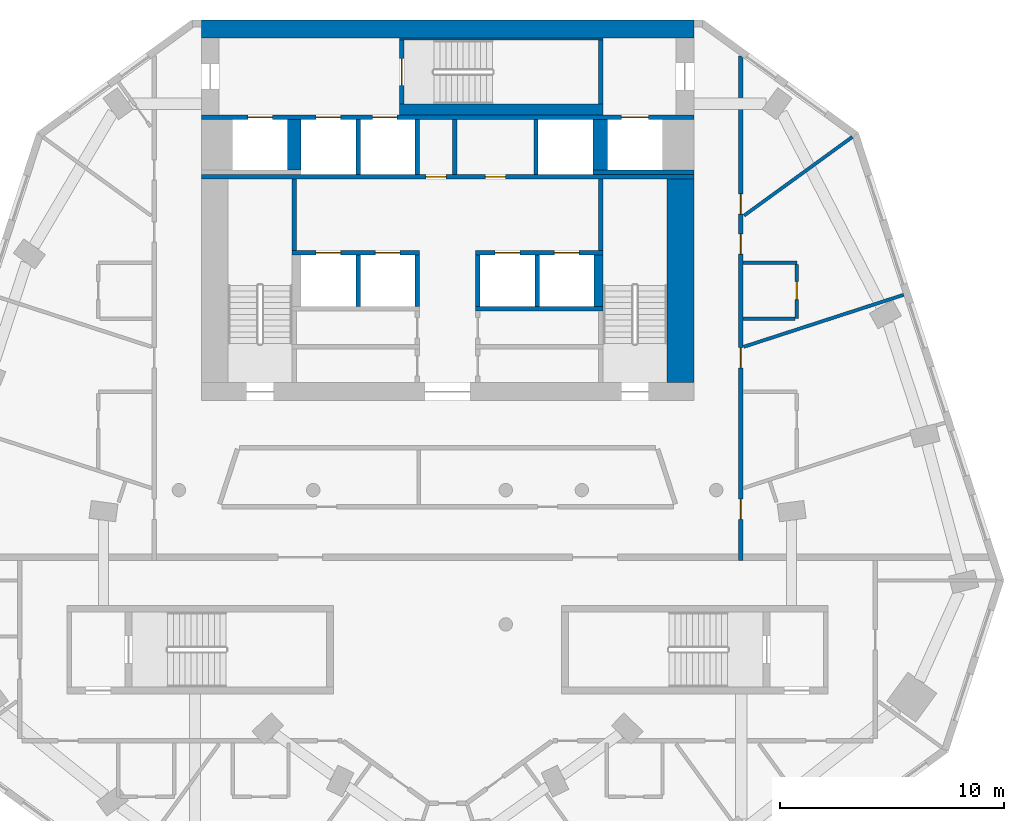
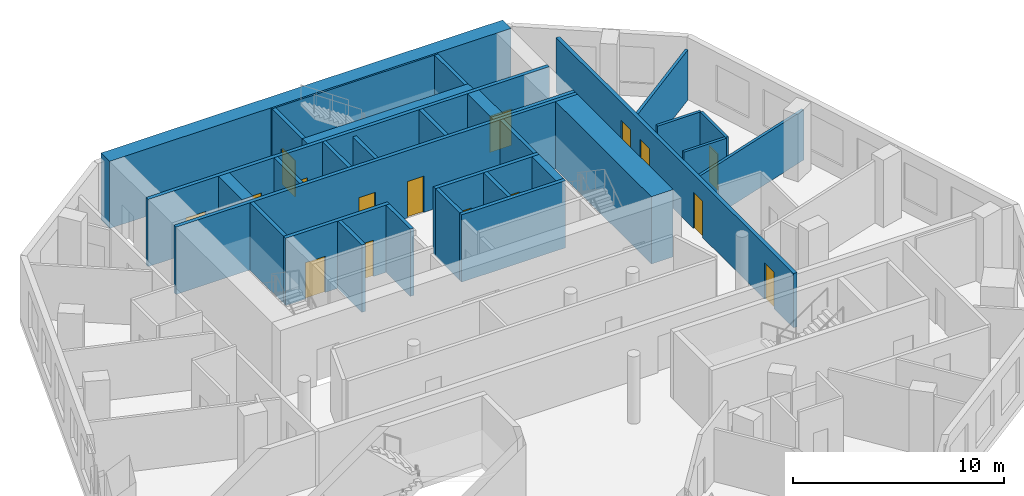
# One storey, part 6 of 9: 31 walls, 16 doors, 16 openings.
"""IFC4 building model written with IfcOpenShell, lengths in metres."""

from ifc_helpers import new_model, si_unit, direction, frame, frame_2d, origin, place, context, subcontext, project, spatial, rectangle, extrude, material, layer, layer_set, type_object, element, fill, save


model = new_model("IFC4")

# Units and contexts
model_context = context("Model", 3, precision=1e-05, world=origin(), true_north=direction((0.0, 1.0)))
body_context = subcontext(model_context, "Body", "Model", "MODEL_VIEW")
ifc_project = project(units=[si_unit("LENGTHUNIT", "METRE"), si_unit("AREAUNIT", "SQUARE_METRE"), si_unit("VOLUMEUNIT", "CUBIC_METRE"), si_unit("PLANEANGLEUNIT", "RADIAN"), si_unit("MASSUNIT", "GRAM", prefix="KILO")], contexts=[model_context])

# Site, building, storey
site_placement = place(None, origin())
site = spatial("IfcSite", under=ifc_project, at=site_placement, CompositionType="ELEMENT")
building_placement = place(site_placement, origin())
building = spatial("IfcBuilding", under=site, at=building_placement, Name="White Candle Pilgrim Tower", CompositionType="ELEMENT")
storey_placement = place(building_placement, frame((0.0, 0.0, 212.10009765625)))
storey = spatial("IfcBuildingStorey", under=building, at=storey_placement, Name="L49", CompositionType="ELEMENT", Elevation=212.10009765625)

# Wall
ifc_material_1 = material(Name="Concrete C50/60", Category="concrete")
ifc_layer_1 = layer(ifc_material_1, 0.199951171875)
ifc_layer_set_1 = layer_set([ifc_layer_1], Name="Core wall 200 mm Concrete C50/60")
wall_type_1 = type_object("IfcWallType", Name="Core wall 200 mm Concrete C50/60", PredefinedType="SHEAR", material=ifc_layer_set_1)
wall_1_placement = place(storey_placement, frame((76.5, 81.199951171875, 0.0), z_axis=(0.0, 0.0, 1.0), x_axis=(1.0, 0.0, 0.0)))
element("IfcWall", 1, at=wall_1_placement, inside=storey, type_object=wall_type_1, Name="WL-L49-C42", PredefinedType="SHEAR", context=body_context, shape_type="SweptSolid", body=[
    extrude(rectangle(XDim=4.5, YDim=0.199951171875, at=frame_2d((2.25, 0.0))), origin(), (0.0, 0.0, 1.0), 3.89990234375),
])

# Wall, openings, doors
wall_2_placement = place(storey_placement, frame((59.0, 83.64990234375, 0.0), z_axis=(0.0, 0.0, 1.0), x_axis=(1.0, 0.0, 0.0)))
wall_2 = element("IfcWall", 2, at=wall_2_placement, inside=storey, type_object=wall_type_1, Name="WL-L49-C47", PredefinedType="SHEAR", context=body_context, shape_type="SweptSolid", body=[
    extrude(rectangle(XDim=22.0, YDim=0.199951171875, at=frame_2d((11.0, 0.0))), origin(), (0.0, 0.0, 1.0), 3.89990234375),
])
opening_1_placement = place(wall_2_placement, frame((5.125, 0.0, 0.0)))
opening_1 = element("IfcOpeningElement", 3, at=opening_1_placement, cuts=wall_2, Name="Opening T15-019", PredefinedType="OPENING", context=body_context, shape_type="SweptSolid", body=[
    extrude(rectangle(XDim=1.10009765625, YDim=2.10009765625, at=frame_2d((0.550048828125, 1.050048828125))), frame((0.0, 0.10986328125, 0.0), z_axis=(0.0, -1.0, 0.0), x_axis=(1.0, 0.0, 0.0)), (0.0, 0.0, 1.0), 0.219970703125),
])
opening_2_placement = place(wall_2_placement, frame((7.64990234375, 0.0, 0.0)))
opening_2 = element("IfcOpeningElement", 4, at=opening_2_placement, cuts=wall_2, Name="Opening T15-020", PredefinedType="OPENING", context=body_context, shape_type="SweptSolid", body=[
    extrude(rectangle(XDim=1.10009765625, YDim=2.10009765625, at=frame_2d((0.550048828125, 1.050048828125))), frame((0.0, 0.10986328125, 0.0), z_axis=(0.0, -1.0, 0.0), x_axis=(1.0, 0.0, 0.0)), (0.0, 0.0, 1.0), 0.219970703125),
])
opening_3_placement = place(wall_2_placement, frame((18.77490234375, 0.0, 0.0)))
opening_3 = element("IfcOpeningElement", 5, at=opening_3_placement, cuts=wall_2, Name="Opening T15-021", PredefinedType="OPENING", context=body_context, shape_type="SweptSolid", body=[
    extrude(rectangle(XDim=1.199951171875, YDim=2.10009765625, at=frame_2d((0.60009765625, 1.050048828125))), frame((0.0, 0.10986328125, 0.0), z_axis=(0.0, -1.0, 0.0), x_axis=(1.0, 0.0, 0.0)), (0.0, 0.0, 1.0), 0.219970703125),
])
opening_4_placement = place(wall_2_placement, frame((2.074951171875, 0.0, 0.0)))
opening_4 = element("IfcOpeningElement", 6, at=opening_4_placement, cuts=wall_2, Name="Opening T15-022", PredefinedType="OPENING", context=body_context, shape_type="SweptSolid", body=[
    extrude(rectangle(XDim=1.10009765625, YDim=2.10009765625, at=frame_2d((0.550048828125, 1.050048828125))), frame((0.0, 0.10986328125, 0.0), z_axis=(0.0, -1.0, 0.0), x_axis=(1.0, 0.0, 0.0)), (0.0, 0.0, 1.0), 0.219970703125),
])
ifc_material_2 = material(Name="Stainless steel", Category="steel")
door_type_1 = type_object("IfcDoorType", Name="Lift landing door 1100 x 2100 EI 60", OperationType="DOUBLE_DOOR_SLIDING", PredefinedType="DOOR", material=ifc_material_2)
door_1_placement = place(opening_1_placement, origin())
door_1 = element("IfcDoor", 7, at=door_1_placement, inside=storey, type_object=door_type_1, Name="Door T15-019", OperationType="DOUBLE_DOOR_SLIDING", OverallHeight=2.10009765625, OverallWidth=1.10009765625, PredefinedType="DOOR", context=body_context, shape_type="SweptSolid", body=[
    extrude(rectangle(XDim=1.10009765625, YDim=2.10009765625, at=frame_2d((0.550048828125, 1.050048828125))), frame((0.0, 0.02490234375, 0.0), z_axis=(0.0, -1.0, 0.0), x_axis=(1.0, 0.0, 0.0)), (0.0, 0.0, 1.0), 0.050048828125),
])
fill(opening_1, door_1)
door_2_placement = place(opening_2_placement, origin())
door_2 = element("IfcDoor", 8, at=door_2_placement, inside=storey, type_object=door_type_1, Name="Door T15-020", OperationType="DOUBLE_DOOR_SLIDING", OverallHeight=2.10009765625, OverallWidth=1.10009765625, PredefinedType="DOOR", context=body_context, shape_type="SweptSolid", body=[
    extrude(rectangle(XDim=1.10009765625, YDim=2.10009765625, at=frame_2d((0.550048828125, 1.050048828125))), frame((0.0, 0.02490234375, 0.0), z_axis=(0.0, -1.0, 0.0), x_axis=(1.0, 0.0, 0.0)), (0.0, 0.0, 1.0), 0.050048828125),
])
fill(opening_2, door_2)
door_3_placement = place(opening_4_placement, origin())
door_3 = element("IfcDoor", 9, at=door_3_placement, inside=storey, type_object=door_type_1, Name="Door T15-022", OperationType="DOUBLE_DOOR_SLIDING", OverallHeight=2.10009765625, OverallWidth=1.10009765625, PredefinedType="DOOR", context=body_context, shape_type="SweptSolid", body=[
    extrude(rectangle(XDim=1.10009765625, YDim=2.10009765625, at=frame_2d((0.550048828125, 1.050048828125))), frame((0.0, 0.02490234375, 0.0), z_axis=(0.0, -1.0, 0.0), x_axis=(1.0, 0.0, 0.0)), (0.0, 0.0, 1.0), 0.050048828125),
])
fill(opening_4, door_3)
door_type_2 = type_object("IfcDoorType", Name="Lift landing door 1200 x 2100 E 60", OperationType="DOUBLE_DOOR_SLIDING", PredefinedType="DOOR", material=ifc_material_2)
door_4_placement = place(opening_3_placement, origin())
door_4 = element("IfcDoor", 10, at=door_4_placement, inside=storey, type_object=door_type_2, Name="Door T15-021", OperationType="DOUBLE_DOOR_SLIDING", OverallHeight=2.10009765625, OverallWidth=1.199951171875, PredefinedType="DOOR", context=body_context, shape_type="SweptSolid", body=[
    extrude(rectangle(XDim=1.199951171875, YDim=2.10009765625, at=frame_2d((0.60009765625, 1.050048828125))), frame((0.0, 0.02490234375, 0.0), z_axis=(0.0, -1.0, 0.0), x_axis=(1.0, 0.0, 0.0)), (0.0, 0.0, 1.0), 0.050048828125),
])
fill(opening_3, door_4)

# Wall
ifc_layer_2 = layer(ifc_material_1, 0.800048828125)
ifc_layer_set_2 = layer_set([ifc_layer_2], Name="Core wall 800 mm Concrete C50/60")
wall_type_2 = type_object("IfcWallType", Name="Core wall 800 mm Concrete C50/60", PredefinedType="SHEAR", material=ifc_layer_set_2)
wall_3_placement = place(storey_placement, frame((59.0, 87.60009765625, 0.0), z_axis=(0.0, 0.0, 1.0), x_axis=(1.0, 0.0, 0.0)))
element("IfcWall", 11, at=wall_3_placement, inside=storey, type_object=wall_type_2, Name="WL-L49-C54", PredefinedType="SHEAR", context=body_context, shape_type="SweptSolid", body=[
    extrude(rectangle(XDim=22.0, YDim=0.800048828125, at=frame_2d((11.0, 0.0))), origin(), (0.0, 0.0, 1.0), 3.89990234375),
])

# Wall, openings, doors
ifc_material_3 = material(Name="Gypsum board on steel studs", Category="steel")
ifc_layer_3 = layer(ifc_material_3, 0.199951171875)
ifc_layer_set_3 = layer_set([ifc_layer_3], Name="Corridor wall 200 mm EI 45")
wall_type_3 = type_object("IfcWallType", Name="Corridor wall 200 mm EI 45", PredefinedType="PARTITIONING", material=ifc_layer_set_3)
wall_4_placement = place(storey_placement, frame((83.10009765625, 86.396240234375, 0.0), z_axis=(0.0, 0.0, 1.0), x_axis=(0.0, -1.0, 0.0)))
wall_4 = element("IfcWall", 12, at=wall_4_placement, inside=storey, type_object=wall_type_3, Name="WL-L49-P003", PredefinedType="PARTITIONING", context=body_context, shape_type="SweptSolid", body=[
    extrude(rectangle(XDim=22.546142578125, YDim=0.199951171875, at=frame_2d((11.27294921875, 0.0))), origin(), (0.0, 0.0, 1.0), 3.14990234375),
])
opening_5_placement = place(wall_4_placement, frame((6.163818359375, 0.0, 0.0)))
opening_5 = element("IfcOpeningElement", 13, at=opening_5_placement, cuts=wall_4, Name="Opening T15-128", PredefinedType="OPENING", context=body_context, shape_type="SweptSolid", body=[
    extrude(rectangle(XDim=0.89990234375, YDim=2.10009765625, at=frame_2d((0.449951171875, 1.050048828125))), frame((0.0, 0.10986328125, 0.0), z_axis=(0.0, -1.0, 0.0), x_axis=(1.0, 0.0, 0.0)), (0.0, 0.0, 1.0), 0.219970703125),
])
opening_6_placement = place(wall_4_placement, frame((7.95947265625, 0.0, 0.0)))
opening_6 = element("IfcOpeningElement", 14, at=opening_6_placement, cuts=wall_4, Name="Opening T15-129", PredefinedType="OPENING", context=body_context, shape_type="SweptSolid", body=[
    extrude(rectangle(XDim=0.89990234375, YDim=2.10009765625, at=frame_2d((0.449951171875, 1.050048828125))), frame((0.0, 0.10986328125, 0.0), z_axis=(0.0, -1.0, 0.0), x_axis=(1.0, 0.0, 0.0)), (0.0, 0.0, 1.0), 0.219970703125),
])
opening_7_placement = place(wall_4_placement, frame((13.034423828125, 0.0, 0.0)))
opening_7 = element("IfcOpeningElement", 15, at=opening_7_placement, cuts=wall_4, Name="Opening T15-130", PredefinedType="OPENING", context=body_context, shape_type="SweptSolid", body=[
    extrude(rectangle(XDim=0.89990234375, YDim=2.10009765625, at=frame_2d((0.449951171875, 1.050048828125))), frame((0.0, 0.10986328125, 0.0), z_axis=(0.0, -1.0, 0.0), x_axis=(1.0, 0.0, 0.0)), (0.0, 0.0, 1.0), 0.219970703125),
])
opening_8_placement = place(wall_4_placement, frame((19.80126953125, 0.0, 0.0)))
opening_8 = element("IfcOpeningElement", 16, at=opening_8_placement, cuts=wall_4, Name="Opening T15-131", PredefinedType="OPENING", context=body_context, shape_type="SweptSolid", body=[
    extrude(rectangle(XDim=0.89990234375, YDim=2.10009765625, at=frame_2d((0.449951171875, 1.050048828125))), frame((0.0, 0.10986328125, 0.0), z_axis=(0.0, -1.0, 0.0), x_axis=(1.0, 0.0, 0.0)), (0.0, 0.0, 1.0), 0.219970703125),
])
ifc_material_4 = material(Name="Steel door leaf", Category="steel")
door_type_3 = type_object("IfcDoorType", Name="Fire door 900 x 2100 EI 30", OperationType="NOTDEFINED", PredefinedType="DOOR", material=ifc_material_4)
door_5_placement = place(opening_5_placement, origin())
door_5 = element("IfcDoor", 17, at=door_5_placement, inside=storey, type_object=door_type_3, Name="Door T15-128", OperationType="SINGLE_SWING_RIGHT", OverallHeight=2.10009765625, OverallWidth=0.89990234375, PredefinedType="DOOR", context=body_context, shape_type="SweptSolid", body=[
    extrude(rectangle(XDim=0.89990234375, YDim=2.10009765625, at=frame_2d((0.449951171875, 1.050048828125))), frame((0.0, 0.02490234375, 0.0), z_axis=(0.0, -1.0, 0.0), x_axis=(1.0, 0.0, 0.0)), (0.0, 0.0, 1.0), 0.050048828125),
])
fill(opening_5, door_5)
door_6_placement = place(opening_6_placement, origin())
door_6 = element("IfcDoor", 18, at=door_6_placement, inside=storey, type_object=door_type_3, Name="Door T15-129", OperationType="SINGLE_SWING_LEFT", OverallHeight=2.10009765625, OverallWidth=0.89990234375, PredefinedType="DOOR", context=body_context, shape_type="SweptSolid", body=[
    extrude(rectangle(XDim=0.89990234375, YDim=2.10009765625, at=frame_2d((0.449951171875, 1.050048828125))), frame((0.0, 0.02490234375, 0.0), z_axis=(0.0, -1.0, 0.0), x_axis=(1.0, 0.0, 0.0)), (0.0, 0.0, 1.0), 0.050048828125),
])
fill(opening_6, door_6)
door_7_placement = place(opening_7_placement, origin())
door_7 = element("IfcDoor", 19, at=door_7_placement, inside=storey, type_object=door_type_3, Name="Door T15-130", OperationType="SINGLE_SWING_RIGHT", OverallHeight=2.10009765625, OverallWidth=0.89990234375, PredefinedType="DOOR", context=body_context, shape_type="SweptSolid", body=[
    extrude(rectangle(XDim=0.89990234375, YDim=2.10009765625, at=frame_2d((0.449951171875, 1.050048828125))), frame((0.0, 0.02490234375, 0.0), z_axis=(0.0, -1.0, 0.0), x_axis=(1.0, 0.0, 0.0)), (0.0, 0.0, 1.0), 0.050048828125),
])
fill(opening_7, door_7)
door_8_placement = place(opening_8_placement, origin())
door_8 = element("IfcDoor", 20, at=door_8_placement, inside=storey, type_object=door_type_3, Name="Door T15-131", OperationType="SINGLE_SWING_LEFT", OverallHeight=2.10009765625, OverallWidth=0.89990234375, PredefinedType="DOOR", context=body_context, shape_type="SweptSolid", body=[
    extrude(rectangle(XDim=0.89990234375, YDim=2.10009765625, at=frame_2d((0.449951171875, 1.050048828125))), frame((0.0, 0.02490234375, 0.0), z_axis=(0.0, -1.0, 0.0), x_axis=(1.0, 0.0, 0.0)), (0.0, 0.0, 1.0), 0.050048828125),
])
fill(opening_8, door_8)

# Walls
ifc_layer_4 = layer(ifc_material_3, 0.199951171875)
ifc_layer_set_4 = layer_set([ifc_layer_4], Name="Lobby wall 200 mm EI 60")
wall_type_4 = type_object("IfcWallType", Name="Lobby wall 200 mm EI 60", PredefinedType="PARTITIONING", material=ifc_layer_set_4)
wall_5_placement = place(storey_placement, frame((70.320068359375, 81.10009765625, 0.0), z_axis=(0.0, 0.0, 1.0), x_axis=(0.0, 1.0, 0.0)))
element("IfcWall", 21, at=wall_5_placement, inside=storey, type_object=wall_type_4, Name="WL-L49-C40", PredefinedType="PARTITIONING", context=body_context, shape_type="SweptSolid", body=[
    extrude(rectangle(XDim=2.449951171875, YDim=0.199951171875, at=frame_2d((1.22509765625, 0.0))), origin(), (0.0, 0.0, 1.0), 3.599853515625),
])
ifc_layer_5 = layer(ifc_material_3, 0.14990234375)
ifc_layer_set_5 = layer_set([ifc_layer_5], Name="Partition 150 mm EI 60")
wall_type_5 = type_object("IfcWallType", Name="Partition 150 mm EI 60", PredefinedType="PARTITIONING", material=ifc_layer_set_5)
wall_6_placement = place(storey_placement, frame((88.08154296875, 82.77685546875, 0.0), z_axis=(0.0, 0.0, 1.0), x_axis=(-0.809011434577, -0.587792904622, 0.0)))
element("IfcWall", 22, at=wall_6_placement, inside=storey, type_object=wall_type_5, Name="WL-L49-P022", PredefinedType="PARTITIONING", context=body_context, shape_type="SweptSolid", body=[
    extrude(rectangle(XDim=5.9794921875, YDim=0.14990234375, at=frame_2d((2.98974609375, 0.0))), origin(), (0.0, 0.0, 1.0), 2.89990234375),
])
wall_7_placement = place(storey_placement, frame((90.37353515625, 75.723388671875, 0.0), z_axis=(0.0, 0.0, 1.0), x_axis=(-0.951049340024, -0.309039079794, 0.0)))
element("IfcWall", 23, at=wall_7_placement, inside=storey, type_object=wall_type_5, Name="WL-L49-P048", PredefinedType="PARTITIONING", context=body_context, shape_type="SweptSolid", body=[
    extrude(rectangle(XDim=7.518310546875, YDim=0.14990234375, at=frame_2d((3.75927734375, 0.0))), origin(), (0.0, 0.0, 1.0), 2.89990234375),
])
wall_8_placement = place(storey_placement, frame((83.199951171875, 77.159912109375, 0.0), z_axis=(0.0, 0.0, 1.0), x_axis=(1.0, 0.0, 0.0)))
element("IfcWall", 24, at=wall_8_placement, inside=storey, type_object=wall_type_5, Name="WL-L49-P051", PredefinedType="PARTITIONING", context=body_context, shape_type="SweptSolid", body=[
    extrude(rectangle(XDim=2.400146484375, YDim=0.14990234375, at=frame_2d((1.2001953125, 0.0))), origin(), (0.0, 0.0, 1.0), 3.599853515625),
])

# Wall, opening, door
wall_9_placement = place(storey_placement, frame((85.60009765625, 74.659912109375, 0.0), z_axis=(0.0, 0.0, 1.0), x_axis=(0.0, 1.0, 0.0)))
wall_9 = element("IfcWall", 25, at=wall_9_placement, inside=storey, type_object=wall_type_5, Name="WL-L49-P052", PredefinedType="PARTITIONING", context=body_context, shape_type="SweptSolid", body=[
    extrude(rectangle(XDim=2.425048828125, YDim=0.14990234375, at=frame_2d((1.21240234375, 0.0))), origin(), (0.0, 0.0, 1.0), 3.599853515625),
])
opening_9_placement = place(wall_9_placement, frame((0.85009765625, 0.0, 0.0)))
opening_9 = element("IfcOpeningElement", 26, at=opening_9_placement, cuts=wall_9, Name="Opening T15-118", PredefinedType="OPENING", context=body_context, shape_type="SweptSolid", body=[
    extrude(rectangle(XDim=0.800048828125, YDim=2.10009765625, at=frame_2d((0.39990234375, 1.050048828125))), frame((0.0, 0.0849609375, 0.0), z_axis=(0.0, -1.0, 0.0), x_axis=(1.0, 0.0, 0.0)), (0.0, 0.0, 1.0), 0.169921875),
])
door_type_4 = type_object("IfcDoorType", Name="Fire door 800 x 2100 EI 30", OperationType="NOTDEFINED", PredefinedType="DOOR", material=ifc_material_4)
door_9_placement = place(opening_9_placement, frame((0.800048828125, 0.0, 0.0), z_axis=(0.0, 0.0, 1.0), x_axis=(-1.0, 0.0, 0.0)))
door_9 = element("IfcDoor", 27, at=door_9_placement, inside=storey, type_object=door_type_4, Name="Door T15-118", OperationType="SINGLE_SWING_LEFT", OverallHeight=2.10009765625, OverallWidth=0.800048828125, PredefinedType="DOOR", context=body_context, shape_type="SweptSolid", body=[
    extrude(rectangle(XDim=0.800048828125, YDim=2.10009765625, at=frame_2d((0.39990234375, 1.050048828125))), frame((0.0, 0.02490234375, 0.0), z_axis=(0.0, -1.0, 0.0), x_axis=(1.0, 0.0, 0.0)), (0.0, 0.0, 1.0), 0.050048828125),
])
fill(opening_9, door_9)

# Walls
wall_10_placement = place(storey_placement, frame((83.199951171875, 74.659912109375, 0.0), z_axis=(0.0, 0.0, 1.0), x_axis=(1.0, 0.0, 0.0)))
element("IfcWall", 28, at=wall_10_placement, inside=storey, type_object=wall_type_5, Name="WL-L49-P053", PredefinedType="PARTITIONING", context=body_context, shape_type="SweptSolid", body=[
    extrude(rectangle(XDim=2.324951171875, YDim=0.14990234375, at=frame_2d((1.16259765625, 0.0))), origin(), (0.0, 0.0, 1.0), 3.599853515625),
])
ifc_layer_6 = layer(ifc_material_1, 0.199951171875)
ifc_layer_set_6 = layer_set([ifc_layer_6], Name="Shaft wall 200 mm Concrete C50/60")
wall_type_6 = type_object("IfcWallType", Name="Shaft wall 200 mm Concrete C50/60", PredefinedType="SHEAR", material=ifc_layer_set_6)
for number, where, z_axis, x_axis, name in (
    (29, (66.0, 75.199951171875, 0.0), (0.0, 0.0, 1.0), (0.0, 1.0, 0.0), "WL-L49-C27"),
    (30, (68.64990234375, 75.199951171875, 0.0), (0.0, 0.0, 1.0), (0.0, 1.0, 0.0), "WL-L49-C28"),
    (31, (71.35009765625, 75.199951171875, 0.0), (0.0, 0.0, 1.0), (0.0, 1.0, 0.0), "WL-L49-C29"),
    (32, (74.0, 75.199951171875, 0.0), (0.0, 0.0, 1.0), (0.0, 1.0, 0.0), "WL-L49-C30"),
):
    element("IfcWall", number, at=place(storey_placement, frame(where, z_axis=z_axis, x_axis=x_axis)), inside=storey, type_object=wall_type_6, Name=name, PredefinedType="SHEAR", context=body_context, shape_type="SweptSolid", body=[
        extrude(rectangle(XDim=2.300048828125, YDim=0.199951171875, at=frame_2d((1.14990234375, 0.0))), origin(), (0.0, 0.0, 1.0), 3.89990234375),
    ])
for number, where, z_axis, x_axis, name in (
    (33, (66.0, 81.10009765625, 0.0), (0.0, 0.0, 1.0), (0.0, 1.0, 0.0), "WL-L49-C38"),
    (34, (68.64990234375, 81.10009765625, 0.0), (0.0, 0.0, 1.0), (0.0, 1.0, 0.0), "WL-L49-C39"),
    (35, (73.949951171875, 81.10009765625, 0.0), (0.0, 0.0, 1.0), (0.0, 1.0, 0.0), "WL-L49-C41"),
):
    element("IfcWall", number, at=place(storey_placement, frame(where, z_axis=z_axis, x_axis=x_axis)), inside=storey, type_object=wall_type_6, Name=name, PredefinedType="SHEAR", context=body_context, shape_type="SweptSolid", body=[
        extrude(rectangle(XDim=2.449951171875, YDim=0.199951171875, at=frame_2d((1.22509765625, 0.0))), origin(), (0.0, 0.0, 1.0), 3.89990234375),
    ])
ifc_layer_7 = layer(ifc_material_1, 0.60009765625)
ifc_layer_set_7 = layer_set([ifc_layer_7], Name="Shaft wall 600 mm Concrete C50/60")
wall_type_7 = type_object("IfcWallType", Name="Shaft wall 600 mm Concrete C50/60", PredefinedType="SHEAR", material=ifc_layer_set_7)
wall_11_placement = place(storey_placement, frame((63.14990234375, 81.300048828125, 0.0), z_axis=(0.0, 0.0, 1.0), x_axis=(0.0, 1.0, 0.0)))
element("IfcWall", 36, at=wall_11_placement, inside=storey, type_object=wall_type_7, Name="WL-L49-C44", PredefinedType="SHEAR", context=body_context, shape_type="SweptSolid", body=[
    extrude(rectangle(XDim=2.25, YDim=0.60009765625, at=frame_2d((1.125, 0.0))), origin(), (0.0, 0.0, 1.0), 3.89990234375),
])
ifc_layer_8 = layer(ifc_material_1, 0.64990234375)
ifc_layer_set_8 = layer_set([ifc_layer_8], Name="Shaft wall 650 mm Concrete C50/60")
wall_type_8 = type_object("IfcWallType", Name="Shaft wall 650 mm Concrete C50/60", PredefinedType="SHEAR", material=ifc_layer_set_8)
wall_12_placement = place(storey_placement, frame((76.824951171875, 81.300048828125, 0.0), z_axis=(0.0, 0.0, 1.0), x_axis=(0.0, 1.0, 0.0)))
element("IfcWall", 37, at=wall_12_placement, inside=storey, type_object=wall_type_8, Name="WL-L49-C45", PredefinedType="SHEAR", context=body_context, shape_type="SweptSolid", body=[
    extrude(rectangle(XDim=2.25, YDim=0.64990234375, at=frame_2d((1.125, 0.0))), origin(), (0.0, 0.0, 1.0), 3.89990234375),
])
ifc_layer_9 = layer(ifc_material_1, 0.10009765625)
ifc_layer_set_9 = layer_set([ifc_layer_9], Name="Stair shaft wall 100 mm Concrete C50/60")
wall_type_9 = type_object("IfcWallType", Name="Stair shaft wall 100 mm Concrete C50/60", PredefinedType="SHEAR", material=ifc_layer_set_9)
wall_13_placement = place(storey_placement, frame((67.85009765625, 87.14990234375, 0.0), z_axis=(0.0, 0.0, 1.0), x_axis=(1.0, 0.0, 0.0)))
element("IfcWall", 38, at=wall_13_placement, inside=storey, type_object=wall_type_9, Name="WL-L49-C53", PredefinedType="SHEAR", context=body_context, shape_type="SweptSolid", body=[
    extrude(rectangle(XDim=9.099853515625, YDim=0.10009765625, at=frame_2d((4.5498046875, 0.0))), origin(), (0.0, 0.0, 1.0), 3.89990234375),
])
ifc_layer_10 = layer(ifc_material_1, 1.199951171875)
ifc_layer_set_10 = layer_set([ifc_layer_10], Name="Stair shaft wall 1200 mm Concrete C50/60")
wall_type_10 = type_object("IfcWallType", Name="Stair shaft wall 1200 mm Concrete C50/60", PredefinedType="SHEAR", material=ifc_layer_set_10)
wall_14_placement = place(storey_placement, frame((80.39990234375, 71.800048828125, 0.0), z_axis=(0.0, 0.0, 1.0), x_axis=(0.0, 1.0, 0.0)))
element("IfcWall", 39, at=wall_14_placement, inside=storey, type_object=wall_type_10, Name="WL-L49-C17", PredefinedType="SHEAR", context=body_context, shape_type="SweptSolid", body=[
    extrude(rectangle(XDim=9.099853515625, YDim=1.199951171875, at=frame_2d((4.5498046875, 0.0))), origin(), (0.0, 0.0, 1.0), 3.89990234375),
])
ifc_layer_11 = layer(ifc_material_1, 0.199951171875)
ifc_layer_set_11 = layer_set([ifc_layer_11], Name="Stair shaft wall 200 mm Concrete C50/60")
wall_type_11 = type_object("IfcWallType", Name="Stair shaft wall 200 mm Concrete C50/60", PredefinedType="SHEAR", material=ifc_layer_set_11)
wall_15_placement = place(storey_placement, frame((71.25, 75.10009765625, 0.0), z_axis=(0.0, 0.0, 1.0), x_axis=(1.0, 0.0, 0.0)))
element("IfcWall", 40, at=wall_15_placement, inside=storey, type_object=wall_type_11, Name="WL-L49-C25", PredefinedType="SHEAR", context=body_context, shape_type="SweptSolid", body=[
    extrude(rectangle(XDim=5.699951171875, YDim=0.199951171875, at=frame_2d((2.85009765625, 0.0))), origin(), (0.0, 0.0, 1.0), 3.89990234375),
])

# Wall, openings, doors
wall_16_placement = place(storey_placement, frame((63.050048828125, 77.60009765625, 0.0), z_axis=(0.0, 0.0, 1.0), x_axis=(1.0, 0.0, 0.0)))
wall_16 = element("IfcWall", 41, at=wall_16_placement, inside=storey, type_object=wall_type_11, Name="WL-L49-C32", PredefinedType="SHEAR", context=body_context, shape_type="SweptSolid", body=[
    extrude(rectangle(XDim=5.699951171875, YDim=0.199951171875, at=frame_2d((2.85009765625, 0.0))), origin(), (0.0, 0.0, 1.0), 3.89990234375),
])
opening_10_placement = place(wall_16_placement, frame((1.074951171875, 0.0, 0.0)))
opening_10 = element("IfcOpeningElement", 42, at=opening_10_placement, cuts=wall_16, Name="Opening T15-015", PredefinedType="OPENING", context=body_context, shape_type="SweptSolid", body=[
    extrude(rectangle(XDim=1.10009765625, YDim=2.10009765625, at=frame_2d((0.550048828125, 1.050048828125))), frame((0.0, 0.10986328125, 0.0), z_axis=(0.0, -1.0, 0.0), x_axis=(1.0, 0.0, 0.0)), (0.0, 0.0, 1.0), 0.219970703125),
])
opening_11_placement = place(wall_16_placement, frame((3.72509765625, 0.0, 0.0)))
opening_11 = element("IfcOpeningElement", 43, at=opening_11_placement, cuts=wall_16, Name="Opening T15-016", PredefinedType="OPENING", context=body_context, shape_type="SweptSolid", body=[
    extrude(rectangle(XDim=1.10009765625, YDim=2.10009765625, at=frame_2d((0.550048828125, 1.050048828125))), frame((0.0, 0.10986328125, 0.0), z_axis=(0.0, -1.0, 0.0), x_axis=(1.0, 0.0, 0.0)), (0.0, 0.0, 1.0), 0.219970703125),
])
door_type_5 = type_object("IfcDoorType", Name="Lift landing door 1100 x 2100 E 60", OperationType="DOUBLE_DOOR_SLIDING", PredefinedType="DOOR", material=ifc_material_2)
door_10_placement = place(opening_10_placement, origin())
door_10 = element("IfcDoor", 44, at=door_10_placement, inside=storey, type_object=door_type_5, Name="Door T15-015", OperationType="DOUBLE_DOOR_SLIDING", OverallHeight=2.10009765625, OverallWidth=1.10009765625, PredefinedType="DOOR", context=body_context, shape_type="SweptSolid", body=[
    extrude(rectangle(XDim=1.10009765625, YDim=2.10009765625, at=frame_2d((0.550048828125, 1.050048828125))), frame((0.0, 0.02490234375, 0.0), z_axis=(0.0, -1.0, 0.0), x_axis=(1.0, 0.0, 0.0)), (0.0, 0.0, 1.0), 0.050048828125),
])
fill(opening_10, door_10)
door_11_placement = place(opening_11_placement, origin())
door_11 = element("IfcDoor", 45, at=door_11_placement, inside=storey, type_object=door_type_5, Name="Door T15-016", OperationType="DOUBLE_DOOR_SLIDING", OverallHeight=2.10009765625, OverallWidth=1.10009765625, PredefinedType="DOOR", context=body_context, shape_type="SweptSolid", body=[
    extrude(rectangle(XDim=1.10009765625, YDim=2.10009765625, at=frame_2d((0.550048828125, 1.050048828125))), frame((0.0, 0.02490234375, 0.0), z_axis=(0.0, -1.0, 0.0), x_axis=(1.0, 0.0, 0.0)), (0.0, 0.0, 1.0), 0.050048828125),
])
fill(opening_11, door_11)

wall_17_placement = place(storey_placement, frame((71.25, 77.60009765625, 0.0), z_axis=(0.0, 0.0, 1.0), x_axis=(1.0, 0.0, 0.0)))
wall_17 = element("IfcWall", 46, at=wall_17_placement, inside=storey, type_object=wall_type_11, Name="WL-L49-C33", PredefinedType="SHEAR", context=body_context, shape_type="SweptSolid", body=[
    extrude(rectangle(XDim=5.699951171875, YDim=0.199951171875, at=frame_2d((2.85009765625, 0.0))), origin(), (0.0, 0.0, 1.0), 3.89990234375),
])
opening_12_placement = place(wall_17_placement, frame((0.875, 0.0, 0.0)))
opening_12 = element("IfcOpeningElement", 47, at=opening_12_placement, cuts=wall_17, Name="Opening T15-017", PredefinedType="OPENING", context=body_context, shape_type="SweptSolid", body=[
    extrude(rectangle(XDim=1.10009765625, YDim=2.10009765625, at=frame_2d((0.550048828125, 1.050048828125))), frame((0.0, 0.10986328125, 0.0), z_axis=(0.0, -1.0, 0.0), x_axis=(1.0, 0.0, 0.0)), (0.0, 0.0, 1.0), 0.219970703125),
])
opening_13_placement = place(wall_17_placement, frame((3.52490234375, 0.0, 0.0)))
opening_13 = element("IfcOpeningElement", 48, at=opening_13_placement, cuts=wall_17, Name="Opening T15-018", PredefinedType="OPENING", context=body_context, shape_type="SweptSolid", body=[
    extrude(rectangle(XDim=1.10009765625, YDim=2.10009765625, at=frame_2d((0.550048828125, 1.050048828125))), frame((0.0, 0.10986328125, 0.0), z_axis=(0.0, -1.0, 0.0), x_axis=(1.0, 0.0, 0.0)), (0.0, 0.0, 1.0), 0.219970703125),
])
door_12_placement = place(opening_12_placement, origin())
door_12 = element("IfcDoor", 49, at=door_12_placement, inside=storey, type_object=door_type_5, Name="Door T15-017", OperationType="DOUBLE_DOOR_SLIDING", OverallHeight=2.10009765625, OverallWidth=1.10009765625, PredefinedType="DOOR", context=body_context, shape_type="SweptSolid", body=[
    extrude(rectangle(XDim=1.10009765625, YDim=2.10009765625, at=frame_2d((0.550048828125, 1.050048828125))), frame((0.0, 0.02490234375, 0.0), z_axis=(0.0, -1.0, 0.0), x_axis=(1.0, 0.0, 0.0)), (0.0, 0.0, 1.0), 0.050048828125),
])
fill(opening_12, door_12)
door_13_placement = place(opening_13_placement, origin())
door_13 = element("IfcDoor", 50, at=door_13_placement, inside=storey, type_object=door_type_5, Name="Door T15-018", OperationType="DOUBLE_DOOR_SLIDING", OverallHeight=2.10009765625, OverallWidth=1.10009765625, PredefinedType="DOOR", context=body_context, shape_type="SweptSolid", body=[
    extrude(rectangle(XDim=1.10009765625, YDim=2.10009765625, at=frame_2d((0.550048828125, 1.050048828125))), frame((0.0, 0.02490234375, 0.0), z_axis=(0.0, -1.0, 0.0), x_axis=(1.0, 0.0, 0.0)), (0.0, 0.0, 1.0), 0.050048828125),
])
fill(opening_13, door_13)

# Walls
for number, where, z_axis, x_axis, name in (
    (51, (63.14990234375, 77.699951171875, 0.0), (0.0, 0.0, 1.0), (0.0, 1.0, 0.0), "WL-L49-C34"),
    (52, (76.85009765625, 77.699951171875, 0.0), (0.0, 0.0, 1.0), (0.0, 1.0, 0.0), "WL-L49-C35"),
):
    element("IfcWall", number, at=place(storey_placement, frame(where, z_axis=z_axis, x_axis=x_axis)), inside=storey, type_object=wall_type_11, Name=name, PredefinedType="SHEAR", context=body_context, shape_type="SweptSolid", body=[
        extrude(rectangle(XDim=3.199951171875, YDim=0.199951171875, at=frame_2d((1.60009765625, 0.0))), origin(), (0.0, 0.0, 1.0), 3.89990234375),
    ])

# Wall, openings, doors
wall_18_placement = place(storey_placement, frame((59.0, 81.0, 0.0), z_axis=(0.0, 0.0, 1.0), x_axis=(1.0, 0.0, 0.0)))
wall_18 = element("IfcWall", 53, at=wall_18_placement, inside=storey, type_object=wall_type_11, Name="WL-L49-C36", PredefinedType="SHEAR", context=body_context, shape_type="SweptSolid", body=[
    extrude(rectangle(XDim=22.0, YDim=0.199951171875, at=frame_2d((11.0, 0.0))), origin(), (0.0, 0.0, 1.0), 3.89990234375),
])
opening_14_placement = place(wall_18_placement, frame((10.034912109375, 0.0, 0.0)))
opening_14 = element("IfcOpeningElement", 54, at=opening_14_placement, cuts=wall_18, Name="Opening T15-023", PredefinedType="OPENING", context=body_context, shape_type="SweptSolid", body=[
    extrude(rectangle(XDim=0.89990234375, YDim=2.10009765625, at=frame_2d((0.449951171875, 1.050048828125))), frame((0.0, 0.10986328125, 0.0), z_axis=(0.0, -1.0, 0.0), x_axis=(1.0, 0.0, 0.0)), (0.0, 0.0, 1.0), 0.219970703125),
])
opening_15_placement = place(wall_18_placement, frame((12.68505859375, 0.0, 0.0)))
opening_15 = element("IfcOpeningElement", 55, at=opening_15_placement, cuts=wall_18, Name="Opening T15-024", PredefinedType="OPENING", context=body_context, shape_type="SweptSolid", body=[
    extrude(rectangle(XDim=0.89990234375, YDim=2.10009765625, at=frame_2d((0.449951171875, 1.050048828125))), frame((0.0, 0.10986328125, 0.0), z_axis=(0.0, -1.0, 0.0), x_axis=(1.0, 0.0, 0.0)), (0.0, 0.0, 1.0), 0.219970703125),
])
door_14_placement = place(opening_14_placement, origin())
door_14 = element("IfcDoor", 56, at=door_14_placement, inside=storey, type_object=door_type_3, Name="Door T15-023", OperationType="SINGLE_SWING_LEFT", OverallHeight=2.10009765625, OverallWidth=0.89990234375, PredefinedType="DOOR", context=body_context, shape_type="SweptSolid", body=[
    extrude(rectangle(XDim=0.89990234375, YDim=2.10009765625, at=frame_2d((0.449951171875, 1.050048828125))), frame((0.0, 0.02490234375, 0.0), z_axis=(0.0, -1.0, 0.0), x_axis=(1.0, 0.0, 0.0)), (0.0, 0.0, 1.0), 0.050048828125),
])
fill(opening_14, door_14)
door_15_placement = place(opening_15_placement, origin())
door_15 = element("IfcDoor", 57, at=door_15_placement, inside=storey, type_object=door_type_3, Name="Door T15-024", OperationType="SINGLE_SWING_RIGHT", OverallHeight=2.10009765625, OverallWidth=0.89990234375, PredefinedType="DOOR", context=body_context, shape_type="SweptSolid", body=[
    extrude(rectangle(XDim=0.89990234375, YDim=2.10009765625, at=frame_2d((0.449951171875, 1.050048828125))), frame((0.0, 0.02490234375, 0.0), z_axis=(0.0, -1.0, 0.0), x_axis=(1.0, 0.0, 0.0)), (0.0, 0.0, 1.0), 0.050048828125),
])
fill(opening_15, door_15)

# Wall, opening, door
wall_19_placement = place(storey_placement, frame((67.949951171875, 84.25, 0.0), z_axis=(0.0, 0.0, 1.0), x_axis=(0.0, 1.0, 0.0)))
wall_19 = element("IfcWall", 58, at=wall_19_placement, inside=storey, type_object=wall_type_11, Name="WL-L49-C51", PredefinedType="SHEAR", context=body_context, shape_type="SweptSolid", body=[
    extrude(rectangle(XDim=2.85009765625, YDim=0.199951171875, at=frame_2d((1.425048828125, 0.0))), origin(), (0.0, 0.0, 1.0), 3.89990234375),
])
opening_16_placement = place(wall_19_placement, frame((0.824951171875, 0.0, 0.0)))
opening_16 = element("IfcOpeningElement", 59, at=opening_16_placement, cuts=wall_19, Name="Opening T15-003", PredefinedType="OPENING", context=body_context, shape_type="SweptSolid", body=[
    extrude(rectangle(XDim=1.199951171875, YDim=2.10009765625, at=frame_2d((0.60009765625, 1.050048828125))), frame((0.0, 0.10986328125, 0.0), z_axis=(0.0, -1.0, 0.0), x_axis=(1.0, 0.0, 0.0)), (0.0, 0.0, 1.0), 0.219970703125),
])
door_type_6 = type_object("IfcDoorType", Name="Fire door 1200 x 2100 EI 60", OperationType="NOTDEFINED", PredefinedType="DOOR", material=ifc_material_4)
door_16_placement = place(opening_16_placement, frame((1.199951171875, 0.0, 0.0), z_axis=(0.0, 0.0, 1.0), x_axis=(-1.0, 0.0, 0.0)))
door_16 = element("IfcDoor", 60, at=door_16_placement, inside=storey, type_object=door_type_6, Name="Door T15-003", OperationType="SINGLE_SWING_RIGHT", OverallHeight=2.10009765625, OverallWidth=1.199951171875, PredefinedType="DOOR", context=body_context, shape_type="SweptSolid", body=[
    extrude(rectangle(XDim=1.199951171875, YDim=2.10009765625, at=frame_2d((0.60009765625, 1.050048828125))), frame((0.0, 0.02490234375, 0.0), z_axis=(0.0, -1.0, 0.0), x_axis=(1.0, 0.0, 0.0)), (0.0, 0.0, 1.0), 0.050048828125),
])
fill(opening_16, door_16)

# Walls
wall_20_placement = place(storey_placement, frame((76.85009765625, 84.25, 0.0), z_axis=(0.0, 0.0, 1.0), x_axis=(0.0, 1.0, 0.0)))
element("IfcWall", 61, at=wall_20_placement, inside=storey, type_object=wall_type_11, Name="WL-L49-C52", PredefinedType="SHEAR", context=body_context, shape_type="SweptSolid", body=[
    extrude(rectangle(XDim=2.85009765625, YDim=0.199951171875, at=frame_2d((1.425048828125, 0.0))), origin(), (0.0, 0.0, 1.0), 3.89990234375),
])
ifc_layer_12 = layer(ifc_material_1, 0.39990234375)
ifc_layer_set_12 = layer_set([ifc_layer_12], Name="Stair shaft wall 400 mm Concrete C50/60")
wall_type_12 = type_object("IfcWallType", Name="Stair shaft wall 400 mm Concrete C50/60", PredefinedType="SHEAR", material=ifc_layer_set_12)
wall_21_placement = place(storey_placement, frame((76.75, 75.199951171875, 0.0), z_axis=(0.0, 0.0, 1.0), x_axis=(0.0, 1.0, 0.0)))
element("IfcWall", 62, at=wall_21_placement, inside=storey, type_object=wall_type_12, Name="WL-L49-C31", PredefinedType="SHEAR", context=body_context, shape_type="SweptSolid", body=[
    extrude(rectangle(XDim=2.300048828125, YDim=0.39990234375, at=frame_2d((1.14990234375, 0.0))), origin(), (0.0, 0.0, 1.0), 3.89990234375),
])
ifc_layer_13 = layer(ifc_material_1, 0.5)
ifc_layer_set_13 = layer_set([ifc_layer_13], Name="Stair shaft wall 500 mm Concrete C50/60")
wall_type_13 = type_object("IfcWallType", Name="Stair shaft wall 500 mm Concrete C50/60", PredefinedType="SHEAR", material=ifc_layer_set_13)
wall_22_placement = place(storey_placement, frame((67.85009765625, 84.0, 0.0), z_axis=(0.0, 0.0, 1.0), x_axis=(1.0, 0.0, 0.0)))
element("IfcWall", 63, at=wall_22_placement, inside=storey, type_object=wall_type_13, Name="WL-L49-C49", PredefinedType="SHEAR", context=body_context, shape_type="SweptSolid", body=[
    extrude(rectangle(XDim=9.099853515625, YDim=0.5, at=frame_2d((4.5498046875, 0.0))), origin(), (0.0, 0.0, 1.0), 3.89990234375),
])

save(model, "model.ifc")
